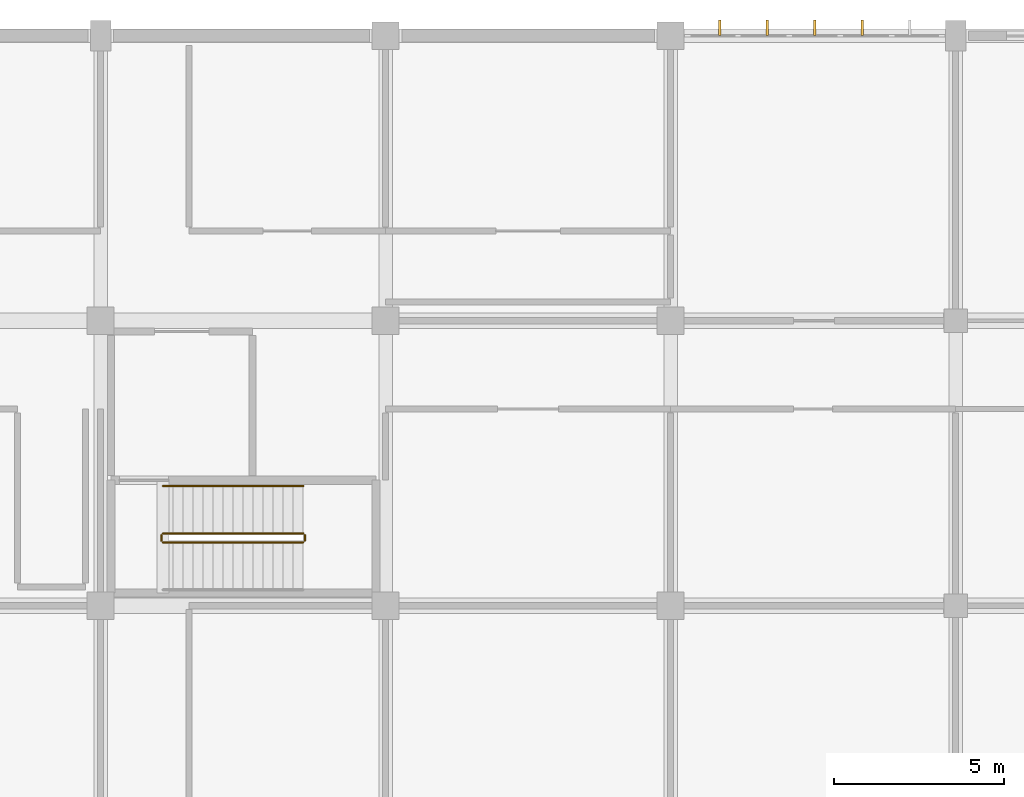
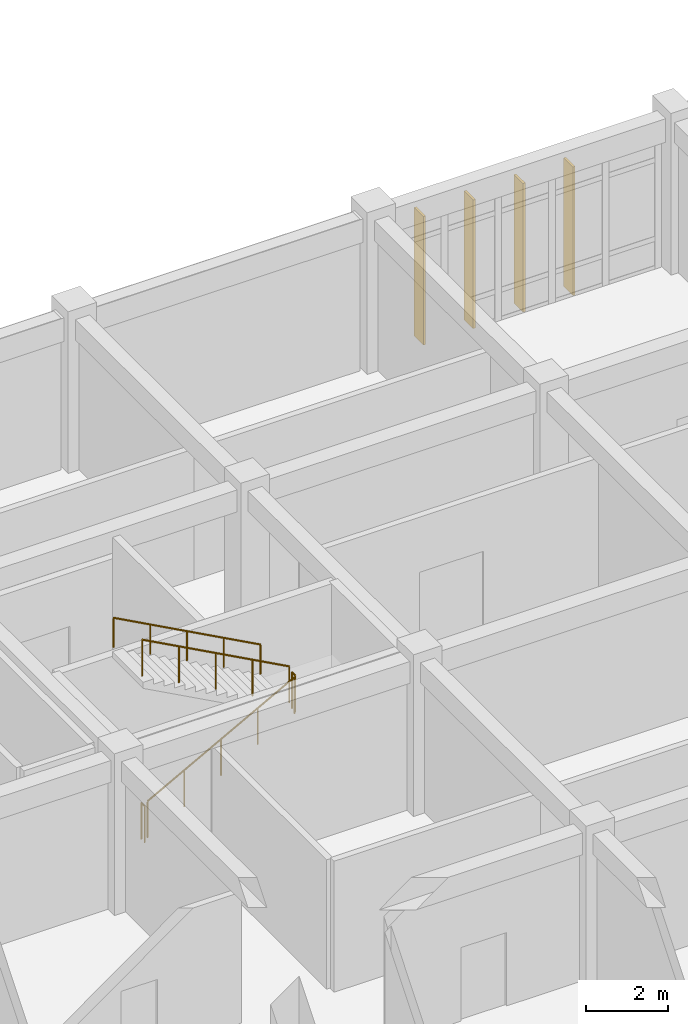
# One storey, part 137 of 138: 5 railings, 4 shading devices.
"""IFC4 building model written with IfcOpenShell, lengths in metres."""

from ifc_helpers import new_model, si_unit, direction, frame, origin, origin_2d, place, context, subcontext, project, spatial, rectangle, circle, extrude, material, material_profile, profile_set, type_object, element, save


model = new_model("IFC4")

# Units and contexts
model_context = context("Model", 3, precision=1e-05, world=origin(), true_north=direction((0.0, 1.0)))
body_context = subcontext(model_context, "Body", "Model", "MODEL_VIEW")
ifc_project = project(units=[si_unit("LENGTHUNIT", "METRE"), si_unit("AREAUNIT", "SQUARE_METRE"), si_unit("VOLUMEUNIT", "CUBIC_METRE"), si_unit("PLANEANGLEUNIT", "RADIAN"), si_unit("MASSUNIT", "GRAM", prefix="KILO")], contexts=[model_context])

# Site, building, storey
site_placement = place(None, origin())
site = spatial("IfcSite", under=ifc_project, at=site_placement, CompositionType="ELEMENT")
building_placement = place(site_placement, origin())
building = spatial("IfcBuilding", under=site, at=building_placement, Name="Bramfleet General Hospital", CompositionType="ELEMENT")
storey_placement = place(building_placement, origin())
storey = spatial("IfcBuildingStorey", under=building, at=storey_placement, Name="L00", CompositionType="ELEMENT", Elevation=0.0)

# Railings
ifc_material_1 = material(Name="Powder-coated steel stair balustrade", Category="steel")
railing_type_1 = type_object("IfcRailingType", Name="RAIL-ST-GUARD", PredefinedType="GUARDRAIL", material=ifc_material_1)
railing_1_placement = place(storey_placement, frame((136.239990234375, 102.669921875, 0.159912109375)))
element("IfcRailing", 1, at=railing_1_placement, inside=storey, type_object=railing_type_1, Name="L00 ST-C9 stair guard 1", PredefinedType="GUARDRAIL", context=body_context, shape_type="SweptSolid", body=[
    extrude(circle(Radius=0.02392578125, at=origin_2d()), frame((0.0, 0.0, 1.076171875), z_axis=(0.879038868435, 0.0, 0.476750110415), x_axis=(0.0, 1.0, 0.0)), (0.0, 0.0, 1.0), 4.698486328125),
    extrude(circle(Radius=0.02099609375, at=origin_2d()), origin(), (0.0, 0.0, 1.0), 1.052001953125),
    extrude(circle(Radius=0.02099609375, at=origin_2d()), frame((1.032470703125, 0.0, 0.56005859375)), (0.0, 0.0, 1.0), 1.052001953125),
    extrude(circle(Radius=0.02099609375, at=origin_2d()), frame((2.06494140625, 0.0, 1.1201171875)), (0.0, 0.0, 1.0), 1.052001953125),
    extrude(circle(Radius=0.02099609375, at=origin_2d()), frame((3.09765625, 0.0, 1.679931640625)), (0.0, 0.0, 1.0), 1.052001953125),
    extrude(circle(Radius=0.02099609375, at=origin_2d()), frame((4.130126953125, 0.0, 2.239990234375)), (0.0, 0.0, 1.0), 1.052001953125),
])
railing_2_placement = place(storey_placement, frame((140.419921875, 102.719970703125, 2.39990234375)))
element("IfcRailing", 2, at=railing_2_placement, inside=storey, type_object=railing_type_1, Name="L00 ST-C9 stair guard 2", PredefinedType="GUARDRAIL", context=body_context, shape_type="SweptSolid", body=[
    extrude(circle(Radius=0.02392578125, at=origin_2d()), frame((0.0, 0.0, 1.076171875), z_axis=(0.0, 1.0, 0.0), x_axis=(-1.0, 0.0, 0.0)), (0.0, 0.0, 1.0), 0.159912109375),
    extrude(circle(Radius=0.02099609375, at=origin_2d()), origin(), (0.0, 0.0, 1.0), 1.052001953125),
    extrude(circle(Radius=0.02099609375, at=origin_2d()), frame((0.0, 0.159912109375, 0.0)), (0.0, 0.0, 1.0), 1.052001953125),
])
railing_3_placement = place(storey_placement, frame((140.3701171875, 102.929931640625, 2.56005859375)))
element("IfcRailing", 3, at=railing_3_placement, inside=storey, type_object=railing_type_1, Name="L00 ST-C9 stair guard 3", PredefinedType="GUARDRAIL", context=body_context, shape_type="SweptSolid", body=[
    extrude(circle(Radius=0.02392578125, at=origin_2d()), frame((0.0, 0.0, 1.076171875), z_axis=(-0.879038868435, 0.0, 0.476750110415), x_axis=(0.0, -1.0, 0.0)), (0.0, 0.0, 1.0), 4.698486328125),
    extrude(circle(Radius=0.02099609375, at=origin_2d()), origin(), (0.0, 0.0, 1.0), 1.052001953125),
    extrude(circle(Radius=0.02099609375, at=origin_2d()), frame((-1.032470703125, 0.0, 0.56005859375)), (0.0, 0.0, 1.0), 1.052001953125),
    extrude(circle(Radius=0.02099609375, at=origin_2d()), frame((-2.06494140625, 0.0, 1.1201171875)), (0.0, 0.0, 1.0), 1.052001953125),
    extrude(circle(Radius=0.02099609375, at=origin_2d()), frame((-3.09765625, 0.0, 1.679931640625)), (0.0, 0.0, 1.0), 1.052001953125),
    extrude(circle(Radius=0.02099609375, at=origin_2d()), frame((-4.130126953125, 0.0, 2.239990234375)), (0.0, 0.0, 1.0), 1.052001953125),
])
railing_4_placement = place(storey_placement, frame((136.18994140625, 102.719970703125, 0.0)))
element("IfcRailing", 4, at=railing_4_placement, inside=storey, type_object=railing_type_1, Name="L00 ST-C9 stair guard 4", PredefinedType="GUARDRAIL", context=body_context, shape_type="SweptSolid", body=[
    extrude(circle(Radius=0.02392578125, at=origin_2d()), frame((0.0, 0.0, 1.076171875), z_axis=(0.0, 1.0, 0.0), x_axis=(-1.0, 0.0, 0.0)), (0.0, 0.0, 1.0), 0.159912109375),
    extrude(circle(Radius=0.02099609375, at=origin_2d()), origin(), (0.0, 0.0, 1.0), 1.052001953125),
    extrude(circle(Radius=0.02099609375, at=origin_2d()), frame((0.0, 0.159912109375, 0.0)), (0.0, 0.0, 1.0), 1.052001953125),
])
ifc_material_2 = material(Name="Stainless steel 1.4301 stair handrail", Category="steel")
railing_type_2 = type_object("IfcRailingType", Name="RAIL-ST-HND", PredefinedType="HANDRAIL", material=ifc_material_2)
railing_5_placement = place(storey_placement, frame((140.3701171875, 104.330078125, 2.56005859375)))
element("IfcRailing", 5, at=railing_5_placement, inside=storey, type_object=railing_type_2, Name="L00 ST-C9 stair handrail 2", PredefinedType="HANDRAIL", context=body_context, shape_type="SweptSolid", body=[
    extrude(circle(Radius=0.02392578125, at=origin_2d()), frame((0.0, 0.0, 0.8759765625), z_axis=(-0.879038868435, 0.0, 0.476750110415), x_axis=(0.0, -1.0, 0.0)), (0.0, 0.0, 1.0), 4.698486328125),
    extrude(circle(Radius=0.02099609375, at=origin_2d()), origin(), (0.0, 0.0, 1.0), 0.851806640625),
    extrude(circle(Radius=0.02099609375, at=origin_2d()), frame((-1.032470703125, 0.0, 0.56005859375)), (0.0, 0.0, 1.0), 0.851806640625),
    extrude(circle(Radius=0.02099609375, at=origin_2d()), frame((-2.06494140625, 0.0, 1.1201171875)), (0.0, 0.0, 1.0), 0.851806640625),
    extrude(circle(Radius=0.02099609375, at=origin_2d()), frame((-3.09765625, 0.0, 1.679931640625)), (0.0, 0.0, 1.0), 0.851806640625),
    extrude(circle(Radius=0.02099609375, at=origin_2d()), frame((-4.130126953125, 0.0, 2.239990234375)), (0.0, 0.0, 1.0), 0.851806640625),
])

# Shading devices
ifc_material_3 = material(Name="Treated European larch timber", Category="wood")
ifc_material_profile = material_profile(ifc_material_3, rectangle(XDim=0.06494140625, YDim=0.449951171875, at=origin_2d()), Name="LARCH FIN 450x65")
ifc_profile_set = profile_set([ifc_material_profile], Name="Treated European larch timber")
shading_device_type = type_object("IfcShadingDeviceType", Name="SHD-FIN-450", PredefinedType="USERDEFINED", material=ifc_profile_set)
for number, where, z_axis, x_axis, name in (
    (6, (152.64990234375, 117.840087890625, -0.02001953125), (0.0, 0.0, 1.0), (1.0, 0.0, 0.0), "L00 Larch Timber Shading Fin 16"),
    (7, (154.050048828125, 117.840087890625, -0.02001953125), (0.0, 0.0, 1.0), (1.0, 0.0, 0.0), "L00 Larch Timber Shading Fin 17"),
    (8, (155.449951171875, 117.840087890625, -0.02001953125), (0.0, 0.0, 1.0), (1.0, 0.0, 0.0), "L00 Larch Timber Shading Fin 18"),
    (9, (156.85009765625, 117.840087890625, -0.02001953125), (0.0, 0.0, 1.0), (1.0, 0.0, 0.0), "L00 Larch Timber Shading Fin 19"),
):
    element("IfcShadingDevice", number, at=place(storey_placement, frame(where, z_axis=z_axis, x_axis=x_axis)), inside=storey, type_object=shading_device_type, Name=name, ObjectType="Fin", PredefinedType="USERDEFINED", context=body_context, shape_type="SweptSolid", body=[
        extrude(rectangle(XDim=0.06494140625, YDim=0.449951171875, at=origin_2d()), origin(), (0.0, 0.0, 1.0), 3.820068359375),
    ])

save(model, "model.ifc")
